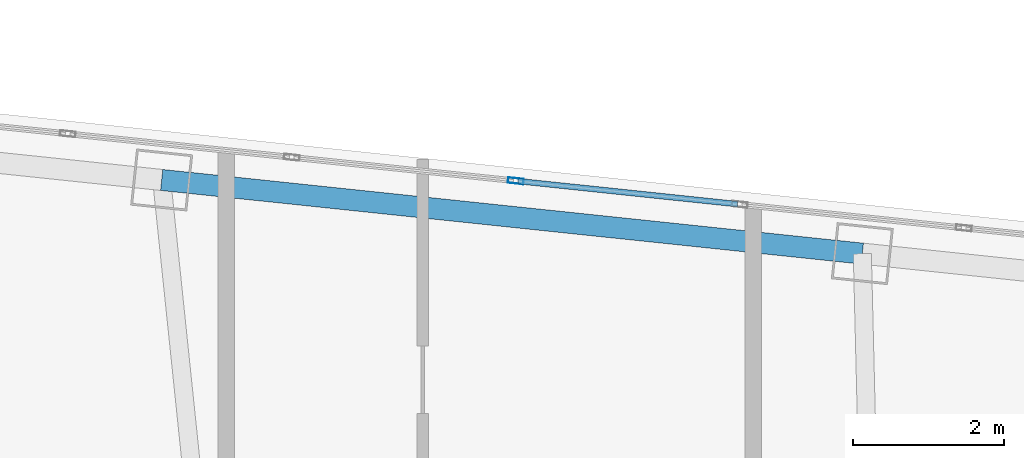
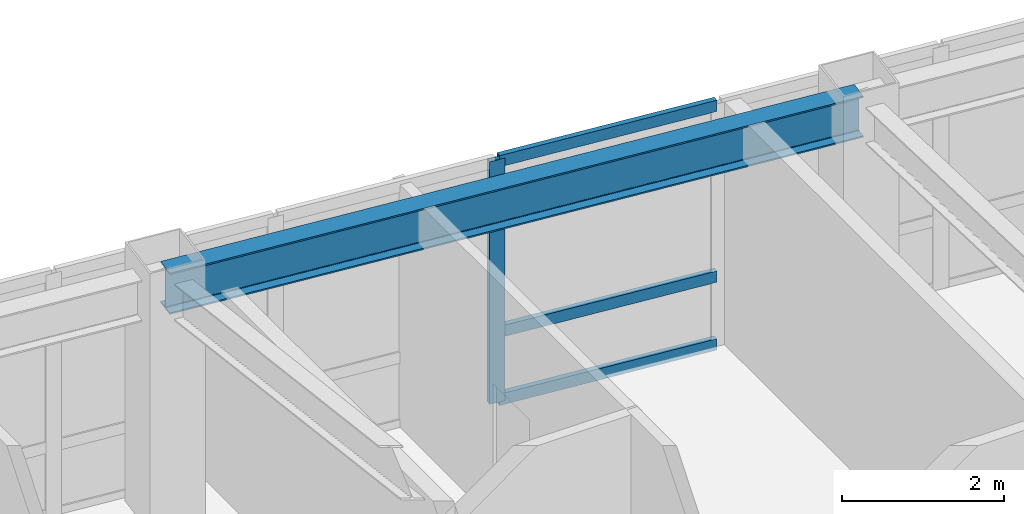
# One storey, part 4 of 16: 4 members, 1 beam, 1 element without a shape of its own.
"""IFC4 building model written with IfcOpenShell, lengths in metres."""

from ifc_helpers import new_model, si_unit, direction, frame, origin, origin_2d, place, context, subcontext, project, spatial, hollow_rectangle, i_section, extrude, material, layer, layer_set, material_profile, profile_set, type_object, element, aggregate, save


model = new_model("IFC4")

# Units and contexts
model_context = context("Model", 3, precision=1e-05, world=origin(), true_north=direction((0.0, 1.0)))
body_context = subcontext(model_context, "Body", "Model", "MODEL_VIEW")
ifc_project = project(units=[si_unit("LENGTHUNIT", "METRE"), si_unit("AREAUNIT", "SQUARE_METRE"), si_unit("VOLUMEUNIT", "CUBIC_METRE"), si_unit("PLANEANGLEUNIT", "RADIAN"), si_unit("MASSUNIT", "GRAM", prefix="KILO")], contexts=[model_context])

# Site, building, storey
site_placement = place(None, origin())
site = spatial("IfcSite", under=ifc_project, at=site_placement, CompositionType="ELEMENT")
building_placement = place(site_placement, origin())
building = spatial("IfcBuilding", under=site, at=building_placement, Name="Voryun Gate Residences", CompositionType="ELEMENT")
storey_placement = place(building_placement, frame((0.0, 0.0, 267.800048828125)))
storey = spatial("IfcBuildingStorey", under=building, at=storey_placement, Name="L66", CompositionType="ELEMENT", Elevation=267.800048828125)

# Beam
ifc_material_1 = material(Name="Steel SM355", Category="steel")
ifc_material_profile_1 = material_profile(ifc_material_1, i_section(OverallWidth=0.280029296875, OverallDepth=0.6201171875, WebThickness=0.013916015625, FlangeThickness=0.02197265625, FilletRadius=0.01806640625, at=origin_2d()), Name="H-620x280x14x22")
ifc_profile_set_1 = profile_set([ifc_material_profile_1], Name="Steel SM355")
beam_type = type_object("IfcBeamType", Name="BM_EXO_SPANDREL_H", PredefinedType="SPANDREL", material=ifc_profile_set_1)
beam_placement = place(storey_placement, frame((3.95166015625, 17.561279296875, 3.33984375), z_axis=(-0.994520592114, 0.104540862157, 0.0), x_axis=(-0.104540862157, -0.994520592114, 0.0)))
element("IfcBeam", 1, at=beam_placement, inside=storey, type_object=beam_type, Name="BM-L66-SPAND-13", PredefinedType="SPANDREL", context=body_context, shape_type="SweptSolid", body=[
    extrude(i_section(OverallWidth=0.280029296875, OverallDepth=0.6201171875, WebThickness=0.013916015625, FlangeThickness=0.02197265625, FilletRadius=0.01806640625, at=origin_2d()), origin(), (0.0, 0.0, 1.0), 9.360107421875),
])

# Curtain wall, members
ifc_material_2 = material(Name="Anodised aluminium", Category="aluminium")
ifc_layer = layer(ifc_material_2, 0.2099609375, Name="CW_SYS_SKYGARDEN_DARK_GLASS")
ifc_layer_set = layer_set([ifc_layer], Name="Anodised aluminium")
curtain_wall_type = type_object("IfcCurtainWallType", Name="CW_SYS_SKYGARDEN_DARK_GLASS", PredefinedType="NOTDEFINED", material=ifc_layer_set)
curtain_wall_placement = place(storey_placement, origin())
curtain_wall = element("IfcCurtainWall", 2, at=curtain_wall_placement, inside=storey, type_object=curtain_wall_type, Name="Curtain wall CW5-L66-SG-11", PredefinedType="NOTDEFINED")
ifc_material_3 = material(Name="Anodised aluminium", Category="aluminium")
ifc_material_profile_2 = material_profile(ifc_material_3, hollow_rectangle(XDim=0.074951171875, YDim=0.2099609375, WallThickness=0.0048828125, at=origin_2d()), Name="ALU-MULL-210x75x5")
ifc_profile_set_2 = profile_set([ifc_material_profile_2], Name="Anodised aluminium")
member_type_1 = type_object("IfcMemberType", Name="CW_MULL_SKY", PredefinedType="MULLION", material=ifc_profile_set_2)
member_1_placement = place(storey_placement, frame((-0.652587890625, 18.52783203125, 0.0), z_axis=(0.0, 0.0, 1.0), x_axis=(0.104532256285, 0.994521496699, 0.0)))
member_1 = element("IfcMember", 3, at=member_1_placement, type_object=member_type_1, Name="CW5 mullion 6", PredefinedType="MULLION", context=body_context, shape_type="SweptSolid", body=[
    extrude(hollow_rectangle(XDim=0.074951171875, YDim=0.2099609375, WallThickness=0.0048828125, at=origin_2d()), origin(), (0.0, 0.0, 1.0), 3.64990234375),
])
ifc_material_4 = material(Name="Anodised aluminium", Category="aluminium")
ifc_material_profile_3 = material_profile(ifc_material_4, hollow_rectangle(XDim=0.074951171875, YDim=0.169921875, WallThickness=0.0048828125, at=origin_2d()), Name="ALU-TRAN-170x75x5")
ifc_profile_set_3 = profile_set([ifc_material_profile_3], Name="Anodised aluminium")
member_type_2 = type_object("IfcMemberType", Name="CW_TRAN_SKY", PredefinedType="USERDEFINED", material=ifc_profile_set_3)
member_2_placement = place(storey_placement, frame((-0.622802734375, 18.52490234375, 0.030029296875), z_axis=(0.994520038301, -0.104546130575, 0.0), x_axis=(0.104546130575, 0.994520038301, 0.0)))
member_2 = element("IfcMember", 4, at=member_2_placement, type_object=member_type_2, Name="CW5 transom 6.1", ObjectType="TRANSOM", PredefinedType="USERDEFINED", context=body_context, shape_type="SweptSolid", body=[
    extrude(hollow_rectangle(XDim=0.074951171875, YDim=0.169921875, WallThickness=0.0048828125, at=origin_2d()), origin(), (0.0, 0.0, 1.0), 2.93310546875),
])
member_3_placement = place(storey_placement, frame((-0.622802734375, 18.52490234375, 1.050048828125), z_axis=(0.994520038301, -0.104546130575, 0.0), x_axis=(0.104546130575, 0.994520038301, 0.0)))
member_3 = element("IfcMember", 5, at=member_3_placement, type_object=member_type_2, Name="CW5 transom 6.2", ObjectType="TRANSOM", PredefinedType="USERDEFINED", context=body_context, shape_type="SweptSolid", body=[
    extrude(hollow_rectangle(XDim=0.074951171875, YDim=0.169921875, WallThickness=0.0048828125, at=origin_2d()), origin(), (0.0, 0.0, 1.0), 2.93310546875),
])
member_4_placement = place(storey_placement, frame((-0.622802734375, 18.52490234375, 3.619873046875), z_axis=(0.994520038301, -0.104546130575, 0.0), x_axis=(0.104546130575, 0.994520038301, 0.0)))
member_4 = element("IfcMember", 6, at=member_4_placement, type_object=member_type_2, Name="CW5 transom 6.3", ObjectType="TRANSOM", PredefinedType="USERDEFINED", context=body_context, shape_type="SweptSolid", body=[
    extrude(hollow_rectangle(XDim=0.074951171875, YDim=0.169921875, WallThickness=0.0048828125, at=origin_2d()), origin(), (0.0, 0.0, 1.0), 2.93310546875),
])
aggregate(curtain_wall, [member_1, member_2, member_3, member_4])

save(model, "model.ifc")
